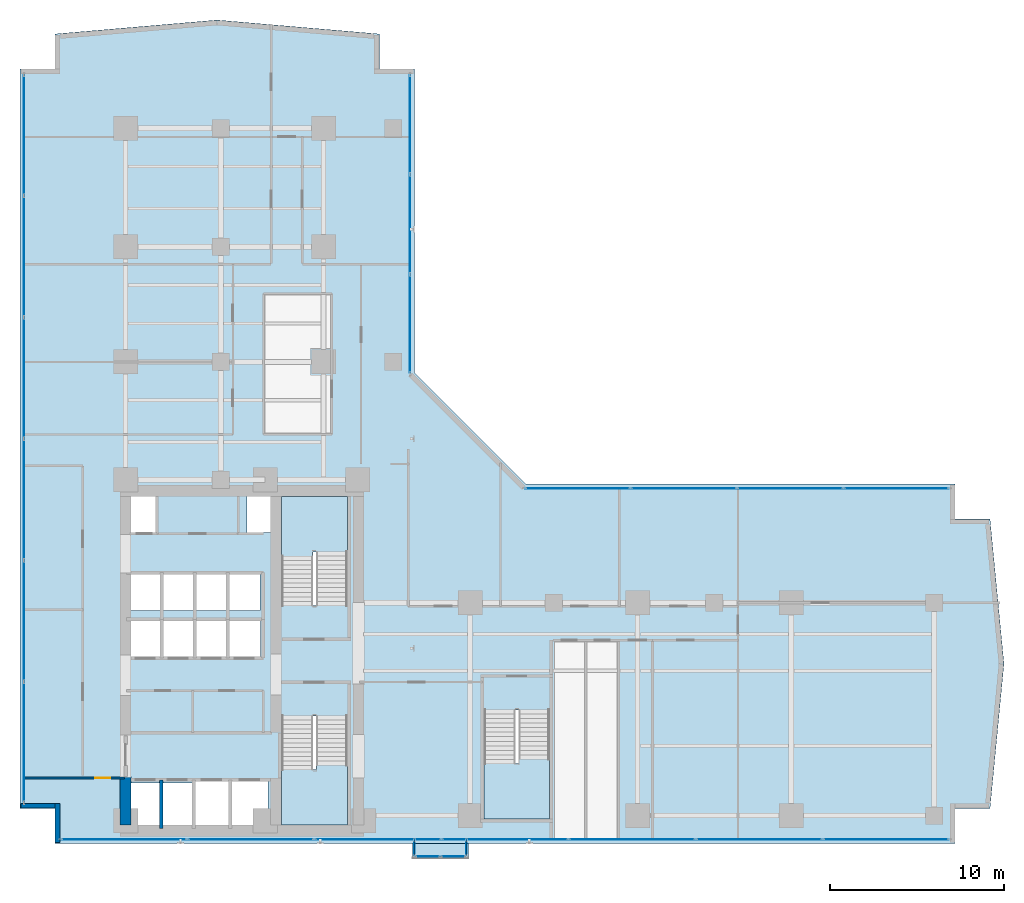
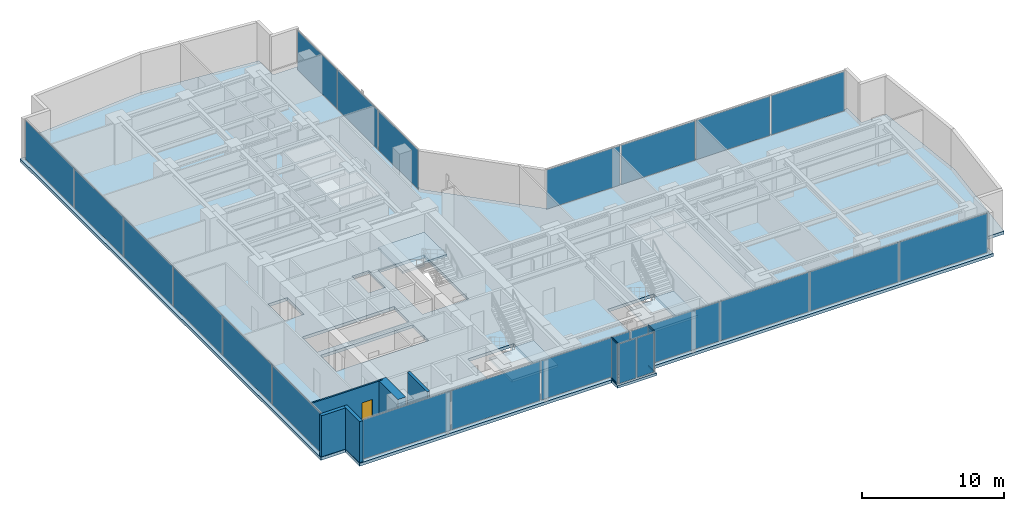
# One storey, part 18 of 26: 24 plates, 5 slabs, 5 walls, 4 members, 1 door, 1 opening, 10 elements without a shape of their own.
"""IFC4 building model written with IfcOpenShell, lengths in metres."""

from ifc_helpers import new_model, si_unit, direction, frame, frame_2d, origin, origin_with_axes, origin_2d, place, context, subcontext, project, spatial, polyline, rectangle, hollow_rectangle, outline, extrude, source, transform, mapped, material, layer, layer_set, material_profile, profile_set, type_object, element, fill, aggregate, save


model = new_model("IFC4")

# Units and contexts
model_context = context("Model", 3, precision=1e-05, world=origin(), true_north=direction((0.0, 1.0)))
body_context = subcontext(model_context, "Body", "Model", "MODEL_VIEW")
ifc_project = project(units=[si_unit("LENGTHUNIT", "METRE"), si_unit("AREAUNIT", "SQUARE_METRE"), si_unit("VOLUMEUNIT", "CUBIC_METRE"), si_unit("PLANEANGLEUNIT", "RADIAN"), si_unit("MASSUNIT", "GRAM", prefix="KILO")], contexts=[model_context])

# Site, building, storey
site_placement = place(None, origin())
site = spatial("IfcSite", under=ifc_project, at=site_placement, CompositionType="ELEMENT")
building_placement = place(site_placement, origin())
building = spatial("IfcBuilding", under=site, at=building_placement, Name="Kolvaren Waterfront Exchange", CompositionType="ELEMENT")
storey_placement = place(building_placement, frame((0.0, 0.0, 122.10009765625)))
storey = spatial("IfcBuildingStorey", under=building, at=storey_placement, Name="L31", CompositionType="ELEMENT", Elevation=122.10009765625)

# Curtain wall, members
ifc_material_1 = material(Name="Anodised bronze aluminium 6063-T6", Category="aluminium")
ifc_layer_1 = layer(ifc_material_1, 0.219970703125, Name="Anodised bronze aluminium 6063-T6")
ifc_layer_set_1 = layer_set([ifc_layer_1], Name="Anodised bronze aluminium 6063-T6")
curtain_wall_type_1 = type_object("IfcCurtainWallType", Name="ARC-CW-SYS3", PredefinedType="USERDEFINED", material=ifc_layer_set_1)
curtain_wall_1_placement = place(storey_placement, origin())
curtain_wall_1 = element("IfcCurtainWall", 1, at=curtain_wall_1_placement, inside=storey, type_object=curtain_wall_type_1, Name="L31 stick curtain wall CW3 (CW-L31-BOX-W)", ObjectType="STICK CURTAIN WALL", PredefinedType="USERDEFINED")
ifc_material_profile = material_profile(ifc_material_1, hollow_rectangle(XDim=0.06494140625, YDim=0.1298828125, WallThickness=0.00390625, at=origin_2d()), Name="ALU-TRN-130x65x4")
ifc_profile_set = profile_set([ifc_material_profile], Name="Anodised bronze aluminium 6063-T6")
member_type = type_object("IfcMemberType", Name="ARC-CWT-130", PredefinedType="USERDEFINED", material=ifc_profile_set)
shared_shape_1 = source(origin_with_axes(), body_context, "Body", "SweptSolid", [
    extrude(hollow_rectangle(XDim=0.06494140625, YDim=0.1298828125, WallThickness=0.00390625, at=origin_2d()), origin(), (0.0, 0.0, 1.0), 0.829833984375),
])
member_1_placement = place(storey_placement, frame((24.010009765625, 3.764892578125, 0.032470703125), z_axis=(0.0, -1.0, 0.0), x_axis=(1.0, 0.0, 0.0)))
member_1 = element("IfcMember", 2, at=member_1_placement, type_object=member_type, Name="CW3 transom 1.1", ObjectType="TRANSOM", PredefinedType="USERDEFINED", context=body_context, shape_type="MappedRepresentation", body=[
    mapped(shared_shape_1, transform((0.0, 0.0, 0.0), x_axis=(1.0, 0.0, 0.0), y_axis=(0.0, 1.0, 0.0), z_axis=(0.0, 0.0, 1.0), scale=1.0)),
])
member_2_placement = place(storey_placement, frame((24.010009765625, 3.764892578125, 3.50732421875), z_axis=(0.0, -1.0, 0.0), x_axis=(1.0, 0.0, 0.0)))
member_2 = element("IfcMember", 3, at=member_2_placement, type_object=member_type, Name="CW3 transom 1.2", ObjectType="TRANSOM", PredefinedType="USERDEFINED", context=body_context, shape_type="MappedRepresentation", body=[
    mapped(shared_shape_1, transform((0.0, 0.0, 0.0), x_axis=(1.0, 0.0, 0.0), y_axis=(0.0, 1.0, 0.0), z_axis=(0.0, 0.0, 1.0), scale=1.0)),
])

curtain_wall_2_placement = place(storey_placement, origin())
curtain_wall_2 = element("IfcCurtainWall", 4, at=curtain_wall_2_placement, inside=storey, type_object=curtain_wall_type_1, Name="L31 stick curtain wall CW3 (CW-L31-BOX-E)", ObjectType="STICK CURTAIN WALL", PredefinedType="USERDEFINED")
member_3_placement = place(storey_placement, frame((26.989990234375, 2.93505859375, 0.032470703125), z_axis=(0.0, 1.0, 0.0), x_axis=(-1.0, 0.0, 0.0)))
member_3 = element("IfcMember", 5, at=member_3_placement, type_object=member_type, Name="CW3 transom 1.1", ObjectType="TRANSOM", PredefinedType="USERDEFINED", context=body_context, shape_type="MappedRepresentation", body=[
    mapped(shared_shape_1, transform((0.0, 0.0, 0.0), x_axis=(1.0, 0.0, 0.0), y_axis=(0.0, 1.0, 0.0), z_axis=(0.0, 0.0, 1.0), scale=1.0)),
])
member_4_placement = place(storey_placement, frame((26.989990234375, 2.93505859375, 3.50732421875), z_axis=(0.0, 1.0, 0.0), x_axis=(-1.0, 0.0, 0.0)))
member_4 = element("IfcMember", 6, at=member_4_placement, type_object=member_type, Name="CW3 transom 1.2", ObjectType="TRANSOM", PredefinedType="USERDEFINED", context=body_context, shape_type="MappedRepresentation", body=[
    mapped(shared_shape_1, transform((0.0, 0.0, 0.0), x_axis=(1.0, 0.0, 0.0), y_axis=(0.0, 1.0, 0.0), z_axis=(0.0, 0.0, 1.0), scale=1.0)),
])

# Stair, slab
ifc_material_2 = material(Name="Concrete C40/50", Category="concrete")
stair_type = type_object("IfcStairType", Name="ARC-STAIR-3800", PredefinedType="HALF_TURN_STAIR", material=ifc_material_2)
stair_1_placement = place(storey_placement, origin())
stair_1 = element("IfcStair", 7, at=stair_1_placement, inside=storey, type_object=stair_type, Name="L31 Smoke-proof exit stair ST1", PredefinedType="HALF_TURN_STAIR")
ifc_layer_2 = layer(ifc_material_2, 0.199951171875, Name="Concrete C40/50")
ifc_layer_set_2 = layer_set([ifc_layer_2], Name="Concrete C40/50")
slab_type_1 = type_object("IfcSlabType", Name="STR-LANDING-200", PredefinedType="LANDING", material=ifc_layer_set_2)
slab_1_placement = place(storey_placement, frame((0.0, 0.0, 1.77587890625)))
slab_1 = element("IfcSlab", 8, at=slab_1_placement, type_object=slab_type_1, Name="ST1 landing 1", PredefinedType="LANDING", context=body_context, shape_type="SweptSolid", body=[
    extrude(outline(polyline([(16.39990234375, 7.840087890625), (16.39990234375, 4.64990234375), (20.159912109375, 4.64990234375), (20.159912109375, 8.10009765625), (18.360107421875, 8.10009765625), (18.360107421875, 7.840087890625), (16.39990234375, 7.840087890625)])), origin(), (0.0, 0.0, 1.0), 0.199951171875),
])
aggregate(stair_1, [slab_1])

stair_2_placement = place(storey_placement, origin())
stair_2 = element("IfcStair", 9, at=stair_2_placement, inside=storey, type_object=stair_type, Name="L31 Smoke-proof exit stair ST2", PredefinedType="HALF_TURN_STAIR")
slab_2_placement = place(storey_placement, frame((0.0, 0.0, 1.77587890625)))
slab_2 = element("IfcSlab", 10, at=slab_2_placement, type_object=slab_type_1, Name="ST2 landing 1", PredefinedType="LANDING", context=body_context, shape_type="SweptSolid", body=[
    extrude(outline(polyline([(20.159912109375, 20.31005859375), (20.159912109375, 23.5), (16.39990234375, 23.5), (16.39990234375, 20.050048828125), (18.199951171875, 20.050048828125), (18.199951171875, 20.31005859375), (20.159912109375, 20.31005859375)])), origin(), (0.0, 0.0, 1.0), 0.199951171875),
])
aggregate(stair_2, [slab_2])

stair_3_placement = place(storey_placement, origin())
stair_3 = element("IfcStair", 11, at=stair_3_placement, inside=storey, type_object=stair_type, Name="L31 Exit stair ST3", PredefinedType="HALF_TURN_STAIR")
slab_3_placement = place(storey_placement, frame((0.0, 0.0, 1.77587890625)))
slab_3 = element("IfcSlab", 12, at=slab_3_placement, type_object=slab_type_1, Name="ST3 landing 1", PredefinedType="LANDING", context=body_context, shape_type="SweptSolid", body=[
    extrude(outline(polyline([(28.0, 8.18994140625), (28.0, 5.0), (31.760009765625, 5.0), (31.760009765625, 8.449951171875), (29.9599609375, 8.449951171875), (29.9599609375, 8.18994140625), (28.0, 8.18994140625)])), origin(), (0.0, 0.0, 1.0), 0.199951171875),
])
aggregate(stair_3, [slab_3])

# Slabs
ifc_layer_3 = layer(ifc_material_2, 0.260009765625, Name="Concrete C40/50")
ifc_layer_set_3 = layer_set([ifc_layer_3], Name="Concrete C40/50")
slab_type_2 = type_object("IfcSlabType", Name="STR-SLAB-260", PredefinedType="FLOOR", material=ifc_layer_set_3)
slab_4_placement = place(storey_placement, frame((0.0, 0.0, -0.260009765625)))
element("IfcSlab", 13, at=slab_4_placement, inside=storey, type_object=slab_type_2, Name="L31 structural floor slab", PredefinedType="FLOOR", context=body_context, shape_type="SweptSolid", body=[
    extrude(outline(polyline([(3.39990234375, 3.60009765625), (55.0, 3.60009765625), (55.0, 5.60009765625), (57.0, 5.60009765625), (57.800048828125, 13.89990234375), (57.0, 22.199951171875), (55.0, 22.199951171875), (55.0, 24.199951171875), (30.39990234375, 24.199951171875), (24.0, 30.60009765625), (24.0, 48.0), (22.0, 48.0), (22.0, 50.0), (12.699951171875, 50.800048828125), (3.39990234375, 50.0), (3.39990234375, 48.0), (1.39990234375, 48.0), (1.39990234375, 5.60009765625), (3.39990234375, 5.60009765625), (3.39990234375, 3.60009765625)]), holes=[polyline([(11.320068359375, 7.260009765625), (15.610107421875, 7.260009765625), (15.610107421875, 4.5400390625), (7.719970703125, 4.5400390625), (7.719970703125, 7.06005859375), (11.320068359375, 7.06005859375), (11.320068359375, 7.260009765625)]), polyline([(20.159912109375, 10.89990234375), (20.159912109375, 4.64990234375), (16.39990234375, 4.64990234375), (16.39990234375, 10.89990234375), (20.159912109375, 10.89990234375)]), polyline([(31.760009765625, 11.25), (31.760009765625, 5.0), (28.0, 5.0), (28.0, 11.25), (31.760009765625, 11.25)]), polyline([(15.18505859375, 14.239990234375), (7.64501953125, 14.239990234375), (7.64501953125, 16.4599609375), (15.18505859375, 16.4599609375), (15.18505859375, 14.239990234375)]), polyline([(15.159912109375, 16.93994140625), (7.669921875, 16.93994140625), (7.669921875, 19.06005859375), (15.159912109375, 19.06005859375), (15.159912109375, 16.93994140625)]), polyline([(16.39990234375, 23.5), (20.159912109375, 23.5), (20.159912109375, 17.25), (16.39990234375, 17.25), (16.39990234375, 23.5)]), polyline([(7.60009765625, 23.780029296875), (9.179931640625, 23.780029296875), (9.179931640625, 21.419921875), (7.60009765625, 21.419921875), (7.60009765625, 23.780029296875)]), polyline([(15.800048828125, 23.780029296875), (15.800048828125, 21.419921875), (14.419921875, 21.419921875), (14.419921875, 23.780029296875), (15.800048828125, 23.780029296875)])]), origin(), (0.0, 0.0, 1.0), 0.260009765625),
])
ifc_layer_4 = layer(ifc_material_2, 0.219970703125, Name="Concrete C40/50")
ifc_layer_set_4 = layer_set([ifc_layer_4], Name="Concrete C40/50")
slab_type_3 = type_object("IfcSlabType", Name="STR-TERR-220", PredefinedType="FLOOR", material=ifc_layer_set_4)
slab_5_placement = place(storey_placement, frame((0.0, 0.0, -0.22021484375)))
element("IfcSlab", 14, at=slab_5_placement, inside=storey, type_object=slab_type_3, Name="L31 projecting bay-box floor strip", PredefinedType="FLOOR", context=body_context, shape_type="SweptSolid", body=[
    extrude(outline(polyline([(23.89990234375, 2.75), (27.10009765625, 2.75), (27.10009765625, 3.60009765625), (23.89990234375, 3.60009765625), (23.89990234375, 2.75)])), origin(), (0.0, 0.0, 1.0), 0.22021484375),
])

# Plate
ifc_material_3 = material(Name="Bronze tinted bay-box vision glass", Category="aluminium")
ifc_layer_5 = layer(ifc_material_3, 0.02392578125, Name="Bronze tinted bay-box vision glass")
ifc_layer_set_5 = layer_set([ifc_layer_5], Name="Bronze tinted bay-box vision glass")
plate_type_1 = type_object("IfcPlateType", Name="ARC-CWP-24", PredefinedType="CURTAIN_PANEL", material=ifc_layer_set_5)
shared_shape_2 = source(origin_with_axes(), body_context, "Body", "SweptSolid", [
    extrude(rectangle(XDim=0.830078125, YDim=0.02392578125, at=origin_2d()), origin(), (0.0, 0.0, 1.0), 3.409912109375),
])
plate_1_placement = place(storey_placement, frame((24.010009765625, 3.35009765625, 0.06494140625), z_axis=(0.0, 0.0, 1.0), x_axis=(0.0, -1.0, 0.0)))
plate_1 = element("IfcPlate", 15, at=plate_1_placement, type_object=plate_type_1, Name="CW3 panel 1.1", PredefinedType="CURTAIN_PANEL", context=body_context, shape_type="MappedRepresentation", body=[
    mapped(shared_shape_2, transform((0.0, 0.0, 0.0), x_axis=(1.0, 0.0, 0.0), y_axis=(0.0, 1.0, 0.0), z_axis=(0.0, 0.0, 1.0), scale=1.0)),
])

aggregate(curtain_wall_1, [member_1, member_2, plate_1])

plate_2_placement = place(storey_placement, frame((26.989990234375, 3.35009765625, 0.06494140625), z_axis=(0.0, 0.0, 1.0), x_axis=(0.0, 1.0, 0.0)))
plate_2 = element("IfcPlate", 16, at=plate_2_placement, type_object=plate_type_1, Name="CW3 panel 1.1", PredefinedType="CURTAIN_PANEL", context=body_context, shape_type="MappedRepresentation", body=[
    mapped(shared_shape_2, transform((0.0, 0.0, 0.0), x_axis=(1.0, 0.0, 0.0), y_axis=(0.0, 1.0, 0.0), z_axis=(0.0, 0.0, 1.0), scale=1.0)),
])

aggregate(curtain_wall_2, [member_3, member_4, plate_2])

# Curtain wall, plates
curtain_wall_3_placement = place(storey_placement, origin())
curtain_wall_3 = element("IfcCurtainWall", 17, at=curtain_wall_3_placement, inside=storey, type_object=curtain_wall_type_1, Name="L31 stick curtain wall CW3 (CW-L31-BOX)", ObjectType="STICK CURTAIN WALL", PredefinedType="USERDEFINED")
shared_shape_3 = source(origin_with_axes(), body_context, "Body", "SweptSolid", [
    extrude(rectangle(XDim=1.37744140625, YDim=0.02392578125, at=origin_2d()), origin(), (0.0, 0.0, 1.0), 3.409912109375),
])
plate_3_placement = place(storey_placement, frame((24.773681640625, 2.860107421875, 0.06494140625), z_axis=(0.0, 0.0, 1.0), x_axis=(1.0, 0.0, 0.0)))
plate_3 = element("IfcPlate", 18, at=plate_3_placement, type_object=plate_type_1, Name="CW3 panel 1.1", PredefinedType="CURTAIN_PANEL", context=body_context, shape_type="MappedRepresentation", body=[
    mapped(shared_shape_3, transform((0.0, 0.0, 0.0), x_axis=(1.0, 0.0, 0.0), y_axis=(0.0, 1.0, 0.0), z_axis=(0.0, 0.0, 1.0), scale=1.0)),
])
plate_4_placement = place(storey_placement, frame((26.226318359375, 2.860107421875, 0.06494140625), z_axis=(0.0, 0.0, 1.0), x_axis=(1.0, 0.0, 0.0)))
plate_4 = element("IfcPlate", 19, at=plate_4_placement, type_object=plate_type_1, Name="CW3 panel 2.1", PredefinedType="CURTAIN_PANEL", context=body_context, shape_type="MappedRepresentation", body=[
    mapped(shared_shape_3, transform((0.0, 0.0, 0.0), x_axis=(1.0, 0.0, 0.0), y_axis=(0.0, 1.0, 0.0), z_axis=(0.0, 0.0, 1.0), scale=1.0)),
])
aggregate(curtain_wall_3, [plate_3, plate_4])

ifc_material_4 = material(Name="Anodised aluminium 6063-T6", Category="aluminium")
ifc_layer_6 = layer(ifc_material_4, 0.219970703125, Name="Anodised aluminium 6063-T6")
ifc_layer_set_6 = layer_set([ifc_layer_6], Name="Anodised aluminium 6063-T6")
curtain_wall_type_2 = type_object("IfcCurtainWallType", Name="ARC-CW-SYS2", PredefinedType="USERDEFINED", material=ifc_layer_set_6)
curtain_wall_4_placement = place(storey_placement, origin())
curtain_wall_4 = element("IfcCurtainWall", 20, at=curtain_wall_4_placement, inside=storey, type_object=curtain_wall_type_2, Name="L31 stick curtain wall CW2 (CW-L31-W)", ObjectType="STICK CURTAIN WALL", PredefinedType="USERDEFINED")
ifc_material_5 = material(Name="Acoustic laminated vision glass", Category="glass")
ifc_layer_7 = layer(ifc_material_5, 0.031982421875, Name="Acoustic laminated vision glass")
ifc_layer_set_7 = layer_set([ifc_layer_7], Name="Acoustic laminated vision glass")
plate_type_2 = type_object("IfcPlateType", Name="ARC-CWP-32", PredefinedType="CURTAIN_PANEL", material=ifc_layer_set_7)
shared_shape_4 = source(origin_with_axes(), body_context, "Body", "SweptSolid", [
    extrude(rectangle(XDim=6.8466796875, YDim=0.031982421875, at=origin_2d()), origin(), (0.0, 0.0, 1.0), 3.389892578125),
])
plate_5_placement = place(storey_placement, frame((1.639892578125, 9.4033203125, 0.0751953125), z_axis=(0.0, 0.0, 1.0), x_axis=(0.0, 1.0, 0.0)))
plate_5 = element("IfcPlate", 21, at=plate_5_placement, type_object=plate_type_2, Name="CW2 panel 1.1", PredefinedType="CURTAIN_PANEL", context=body_context, shape_type="MappedRepresentation", body=[
    mapped(shared_shape_4, transform((0.0, 0.0, 0.0), x_axis=(1.0, 0.0, 0.0), y_axis=(0.0, 1.0, 0.0), z_axis=(0.0, 0.0, 1.0), scale=1.0)),
])
plate_6_placement = place(storey_placement, frame((1.639892578125, 44.19677734375, 0.0751953125), z_axis=(0.0, 0.0, 1.0), x_axis=(0.0, 1.0, 0.0)))
plate_6 = element("IfcPlate", 22, at=plate_6_placement, type_object=plate_type_2, Name="CW2 panel 6.1", PredefinedType="CURTAIN_PANEL", context=body_context, shape_type="MappedRepresentation", body=[
    mapped(shared_shape_4, transform((0.0, 0.0, 0.0), x_axis=(1.0, 0.0, 0.0), y_axis=(0.0, 1.0, 0.0), z_axis=(0.0, 0.0, 1.0), scale=1.0)),
])
shared_shape_5 = source(origin_with_axes(), body_context, "Body", "SweptSolid", [
    extrude(rectangle(XDim=6.88671875, YDim=0.031982421875, at=origin_2d()), origin(), (0.0, 0.0, 1.0), 3.389892578125),
])
plate_7_placement = place(storey_placement, frame((1.639892578125, 16.35009765625, 0.0751953125), z_axis=(0.0, 0.0, 1.0), x_axis=(0.0, 1.0, 0.0)))
plate_7 = element("IfcPlate", 23, at=plate_7_placement, type_object=plate_type_2, Name="CW2 panel 2.1", PredefinedType="CURTAIN_PANEL", context=body_context, shape_type="MappedRepresentation", body=[
    mapped(shared_shape_5, transform((0.0, 0.0, 0.0), x_axis=(1.0, 0.0, 0.0), y_axis=(0.0, 1.0, 0.0), z_axis=(0.0, 0.0, 1.0), scale=1.0)),
])
plate_8_placement = place(storey_placement, frame((1.639892578125, 23.316650390625, 0.0751953125), z_axis=(0.0, 0.0, 1.0), x_axis=(0.0, 1.0, 0.0)))
plate_8 = element("IfcPlate", 24, at=plate_8_placement, type_object=plate_type_2, Name="CW2 panel 3.1", PredefinedType="CURTAIN_PANEL", context=body_context, shape_type="MappedRepresentation", body=[
    mapped(shared_shape_5, transform((0.0, 0.0, 0.0), x_axis=(1.0, 0.0, 0.0), y_axis=(0.0, 1.0, 0.0), z_axis=(0.0, 0.0, 1.0), scale=1.0)),
])
plate_9_placement = place(storey_placement, frame((1.639892578125, 30.283447265625, 0.0751953125), z_axis=(0.0, 0.0, 1.0), x_axis=(0.0, 1.0, 0.0)))
plate_9 = element("IfcPlate", 25, at=plate_9_placement, type_object=plate_type_2, Name="CW2 panel 4.1", PredefinedType="CURTAIN_PANEL", context=body_context, shape_type="MappedRepresentation", body=[
    mapped(shared_shape_5, transform((0.0, 0.0, 0.0), x_axis=(1.0, 0.0, 0.0), y_axis=(0.0, 1.0, 0.0), z_axis=(0.0, 0.0, 1.0), scale=1.0)),
])
plate_10_placement = place(storey_placement, frame((1.639892578125, 37.25, 0.0751953125), z_axis=(0.0, 0.0, 1.0), x_axis=(0.0, 1.0, 0.0)))
plate_10 = element("IfcPlate", 26, at=plate_10_placement, type_object=plate_type_2, Name="CW2 panel 5.1", PredefinedType="CURTAIN_PANEL", context=body_context, shape_type="MappedRepresentation", body=[
    mapped(shared_shape_5, transform((0.0, 0.0, 0.0), x_axis=(1.0, 0.0, 0.0), y_axis=(0.0, 1.0, 0.0), z_axis=(0.0, 0.0, 1.0), scale=1.0)),
])
aggregate(curtain_wall_4, [plate_5, plate_7, plate_8, plate_9, plate_10, plate_6])

ifc_layer_8 = layer(ifc_material_1, 0.219970703125, Name="Anodised bronze aluminium 6063-T6")
ifc_layer_set_8 = layer_set([ifc_layer_8], Name="Anodised bronze aluminium 6063-T6")
curtain_wall_type_3 = type_object("IfcCurtainWallType", Name="ARC-CW-SYS1", PredefinedType="USERDEFINED", material=ifc_layer_set_8)
curtain_wall_5_placement = place(storey_placement, origin())
curtain_wall_5 = element("IfcCurtainWall", 27, at=curtain_wall_5_placement, inside=storey, type_object=curtain_wall_type_3, Name="L31 stick curtain wall CW1 (CW-L31-NE)", ObjectType="STICK CURTAIN WALL", PredefinedType="USERDEFINED")
ifc_material_6 = material(Name="Bronze solar control vision glass", Category="aluminium")
ifc_layer_9 = layer(ifc_material_6, 0.028076171875, Name="Bronze solar control vision glass")
ifc_layer_set_9 = layer_set([ifc_layer_9], Name="Bronze solar control vision glass")
plate_type_3 = type_object("IfcPlateType", Name="ARC-CWP-28", PredefinedType="CURTAIN_PANEL", material=ifc_layer_set_9)
shared_shape_6 = source(origin_with_axes(), body_context, "Body", "SweptSolid", [
    extrude(rectangle(XDim=5.61669921875, YDim=0.028076171875, at=origin_2d()), origin(), (0.0, 0.0, 1.0), 3.389892578125),
])
plate_11_placement = place(storey_placement, frame((23.760009765625, 33.37841796875, 0.0751953125), z_axis=(0.0, 0.0, 1.0), x_axis=(0.0, 1.0, 0.0)))
plate_11 = element("IfcPlate", 28, at=plate_11_placement, type_object=plate_type_3, Name="CW1 panel 1.1", PredefinedType="CURTAIN_PANEL", context=body_context, shape_type="MappedRepresentation", body=[
    mapped(shared_shape_6, transform((0.0, 0.0, 0.0), x_axis=(1.0, 0.0, 0.0), y_axis=(0.0, 1.0, 0.0), z_axis=(0.0, 0.0, 1.0), scale=1.0)),
])
plate_12_placement = place(storey_placement, frame((23.760009765625, 44.811767578125, 0.0751953125), z_axis=(0.0, 0.0, 1.0), x_axis=(0.0, 1.0, 0.0)))
plate_12 = element("IfcPlate", 29, at=plate_12_placement, type_object=plate_type_3, Name="CW1 panel 3.1", PredefinedType="CURTAIN_PANEL", context=body_context, shape_type="MappedRepresentation", body=[
    mapped(shared_shape_6, transform((0.0, 0.0, 0.0), x_axis=(1.0, 0.0, 0.0), y_axis=(0.0, 1.0, 0.0), z_axis=(0.0, 0.0, 1.0), scale=1.0)),
])
shared_shape_7 = source(origin_with_axes(), body_context, "Body", "SweptSolid", [
    extrude(rectangle(XDim=5.65673828125, YDim=0.028076171875, at=origin_2d()), origin(), (0.0, 0.0, 1.0), 3.389892578125),
])
plate_13_placement = place(storey_placement, frame((23.760009765625, 39.094970703125, 0.0751953125), z_axis=(0.0, 0.0, 1.0), x_axis=(0.0, 1.0, 0.0)))
plate_13 = element("IfcPlate", 30, at=plate_13_placement, type_object=plate_type_3, Name="CW1 panel 2.1", PredefinedType="CURTAIN_PANEL", context=body_context, shape_type="MappedRepresentation", body=[
    mapped(shared_shape_7, transform((0.0, 0.0, 0.0), x_axis=(1.0, 0.0, 0.0), y_axis=(0.0, 1.0, 0.0), z_axis=(0.0, 0.0, 1.0), scale=1.0)),
])
aggregate(curtain_wall_5, [plate_11, plate_13, plate_12])

curtain_wall_6_placement = place(storey_placement, origin())
curtain_wall_6 = element("IfcCurtainWall", 31, at=curtain_wall_6_placement, inside=storey, type_object=curtain_wall_type_3, Name="L31 stick curtain wall CW1 (CW-L31-EN)", ObjectType="STICK CURTAIN WALL", PredefinedType="USERDEFINED")
shared_shape_8 = source(origin_with_axes(), body_context, "Body", "SweptSolid", [
    extrude(rectangle(XDim=5.982421875, YDim=0.028076171875, at=origin_2d()), origin(), (0.0, 0.0, 1.0), 3.389892578125),
])
plate_14_placement = place(storey_placement, frame((33.361328125, 23.9599609375, 0.0751953125), z_axis=(0.0, 0.0, 1.0), x_axis=(1.0, 0.0, 0.0)))
plate_14 = element("IfcPlate", 32, at=plate_14_placement, type_object=plate_type_3, Name="CW1 panel 1.1", PredefinedType="CURTAIN_PANEL", context=body_context, shape_type="MappedRepresentation", body=[
    mapped(shared_shape_8, transform((0.0, 0.0, 0.0), x_axis=(1.0, 0.0, 0.0), y_axis=(0.0, 1.0, 0.0), z_axis=(0.0, 0.0, 1.0), scale=1.0)),
])
plate_15_placement = place(storey_placement, frame((51.628662109375, 23.9599609375, 0.0751953125), z_axis=(0.0, 0.0, 1.0), x_axis=(1.0, 0.0, 0.0)))
plate_15 = element("IfcPlate", 33, at=plate_15_placement, type_object=plate_type_3, Name="CW1 panel 4.1", PredefinedType="CURTAIN_PANEL", context=body_context, shape_type="MappedRepresentation", body=[
    mapped(shared_shape_8, transform((0.0, 0.0, 0.0), x_axis=(1.0, 0.0, 0.0), y_axis=(0.0, 1.0, 0.0), z_axis=(0.0, 0.0, 1.0), scale=1.0)),
])
shared_shape_9 = source(origin_with_axes(), body_context, "Body", "SweptSolid", [
    extrude(rectangle(XDim=6.0224609375, YDim=0.028076171875, at=origin_2d()), origin(), (0.0, 0.0, 1.0), 3.389892578125),
])
plate_16_placement = place(storey_placement, frame((39.44384765625, 23.9599609375, 0.0751953125), z_axis=(0.0, 0.0, 1.0), x_axis=(1.0, 0.0, 0.0)))
plate_16 = element("IfcPlate", 34, at=plate_16_placement, type_object=plate_type_3, Name="CW1 panel 2.1", PredefinedType="CURTAIN_PANEL", context=body_context, shape_type="MappedRepresentation", body=[
    mapped(shared_shape_9, transform((0.0, 0.0, 0.0), x_axis=(1.0, 0.0, 0.0), y_axis=(0.0, 1.0, 0.0), z_axis=(0.0, 0.0, 1.0), scale=1.0)),
])
plate_17_placement = place(storey_placement, frame((45.546142578125, 23.9599609375, 0.0751953125), z_axis=(0.0, 0.0, 1.0), x_axis=(1.0, 0.0, 0.0)))
plate_17 = element("IfcPlate", 35, at=plate_17_placement, type_object=plate_type_3, Name="CW1 panel 3.1", PredefinedType="CURTAIN_PANEL", context=body_context, shape_type="MappedRepresentation", body=[
    mapped(shared_shape_9, transform((0.0, 0.0, 0.0), x_axis=(1.0, 0.0, 0.0), y_axis=(0.0, 1.0, 0.0), z_axis=(0.0, 0.0, 1.0), scale=1.0)),
])
aggregate(curtain_wall_6, [plate_14, plate_16, plate_17, plate_15])

curtain_wall_7_placement = place(storey_placement, origin())
curtain_wall_7 = element("IfcCurtainWall", 36, at=curtain_wall_7_placement, inside=storey, type_object=curtain_wall_type_3, Name="L31 stick curtain wall CW1 (CW-L31-S)", ObjectType="STICK CURTAIN WALL", PredefinedType="USERDEFINED")
shared_shape_10 = source(origin_with_axes(), body_context, "Body", "SweptSolid", [
    extrude(rectangle(XDim=7.165771484375, YDim=0.028076171875, at=origin_2d()), origin(), (0.0, 0.0, 1.0), 3.389892578125),
])
plate_18_placement = place(storey_placement, frame((7.36279296875, 3.840087890625, 0.0751953125), z_axis=(0.0, 0.0, 1.0), x_axis=(1.0, 0.0, 0.0)))
plate_18 = element("IfcPlate", 37, at=plate_18_placement, type_object=plate_type_3, Name="CW1 panel 1.1", PredefinedType="CURTAIN_PANEL", context=body_context, shape_type="MappedRepresentation", body=[
    mapped(shared_shape_10, transform((0.0, 0.0, 0.0), x_axis=(1.0, 0.0, 0.0), y_axis=(0.0, 1.0, 0.0), z_axis=(0.0, 0.0, 1.0), scale=1.0)),
])
plate_19_placement = place(storey_placement, frame((51.037109375, 3.840087890625, 0.0751953125), z_axis=(0.0, 0.0, 1.0), x_axis=(1.0, 0.0, 0.0)))
plate_19 = element("IfcPlate", 38, at=plate_19_placement, type_object=plate_type_3, Name="CW1 panel 7.1", PredefinedType="CURTAIN_PANEL", context=body_context, shape_type="MappedRepresentation", body=[
    mapped(shared_shape_10, transform((0.0, 0.0, 0.0), x_axis=(1.0, 0.0, 0.0), y_axis=(0.0, 1.0, 0.0), z_axis=(0.0, 0.0, 1.0), scale=1.0)),
])
shared_shape_11 = source(origin_with_axes(), body_context, "Body", "SweptSolid", [
    extrude(rectangle(XDim=7.205810546875, YDim=0.028076171875, at=origin_2d()), origin(), (0.0, 0.0, 1.0), 3.389892578125),
])
plate_20_placement = place(storey_placement, frame((14.628662109375, 3.840087890625, 0.0751953125), z_axis=(0.0, 0.0, 1.0), x_axis=(1.0, 0.0, 0.0)))
plate_20 = element("IfcPlate", 39, at=plate_20_placement, type_object=plate_type_3, Name="CW1 panel 2.1", PredefinedType="CURTAIN_PANEL", context=body_context, shape_type="MappedRepresentation", body=[
    mapped(shared_shape_11, transform((0.0, 0.0, 0.0), x_axis=(1.0, 0.0, 0.0), y_axis=(0.0, 1.0, 0.0), z_axis=(0.0, 0.0, 1.0), scale=1.0)),
])
plate_21_placement = place(storey_placement, frame((21.914306640625, 3.840087890625, 0.0751953125), z_axis=(0.0, 0.0, 1.0), x_axis=(1.0, 0.0, 0.0)))
plate_21 = element("IfcPlate", 40, at=plate_21_placement, type_object=plate_type_3, Name="CW1 panel 3.1", PredefinedType="CURTAIN_PANEL", context=body_context, shape_type="MappedRepresentation", body=[
    mapped(shared_shape_11, transform((0.0, 0.0, 0.0), x_axis=(1.0, 0.0, 0.0), y_axis=(0.0, 1.0, 0.0), z_axis=(0.0, 0.0, 1.0), scale=1.0)),
])
plate_22_placement = place(storey_placement, frame((29.199951171875, 3.840087890625, 0.0751953125), z_axis=(0.0, 0.0, 1.0), x_axis=(1.0, 0.0, 0.0)))
plate_22 = element("IfcPlate", 41, at=plate_22_placement, type_object=plate_type_3, Name="CW1 panel 4.1", PredefinedType="CURTAIN_PANEL", context=body_context, shape_type="MappedRepresentation", body=[
    mapped(shared_shape_11, transform((0.0, 0.0, 0.0), x_axis=(1.0, 0.0, 0.0), y_axis=(0.0, 1.0, 0.0), z_axis=(0.0, 0.0, 1.0), scale=1.0)),
])
plate_23_placement = place(storey_placement, frame((36.485595703125, 3.840087890625, 0.0751953125), z_axis=(0.0, 0.0, 1.0), x_axis=(1.0, 0.0, 0.0)))
plate_23 = element("IfcPlate", 42, at=plate_23_placement, type_object=plate_type_3, Name="CW1 panel 5.1", PredefinedType="CURTAIN_PANEL", context=body_context, shape_type="MappedRepresentation", body=[
    mapped(shared_shape_11, transform((0.0, 0.0, 0.0), x_axis=(1.0, 0.0, 0.0), y_axis=(0.0, 1.0, 0.0), z_axis=(0.0, 0.0, 1.0), scale=1.0)),
])
plate_24_placement = place(storey_placement, frame((43.771484375, 3.840087890625, 0.0751953125), z_axis=(0.0, 0.0, 1.0), x_axis=(1.0, 0.0, 0.0)))
plate_24 = element("IfcPlate", 43, at=plate_24_placement, type_object=plate_type_3, Name="CW1 panel 6.1", PredefinedType="CURTAIN_PANEL", context=body_context, shape_type="MappedRepresentation", body=[
    mapped(shared_shape_11, transform((0.0, 0.0, 0.0), x_axis=(1.0, 0.0, 0.0), y_axis=(0.0, 1.0, 0.0), z_axis=(0.0, 0.0, 1.0), scale=1.0)),
])
aggregate(curtain_wall_7, [plate_18, plate_20, plate_21, plate_22, plate_23, plate_24, plate_19])

# Walls
ifc_material_7 = material(Name="Precast concrete C40/50", Category="concrete")
ifc_layer_10 = layer(ifc_material_7, 0.280029296875, Name="Precast concrete C40/50")
ifc_layer_set_10 = layer_set([ifc_layer_10], Name="Precast concrete C40/50")
wall_type_1 = type_object("IfcWallType", Name="ARC-EXT-TERR-280", PredefinedType="SOLIDWALL", material=ifc_layer_set_10)
wall_1_placement = place(storey_placement, frame((3.56005859375, 3.659912109375, 0.0), z_axis=(0.0, 0.0, 1.0), x_axis=(0.0, 1.0, 0.0)))
element("IfcWall", 44, at=wall_1_placement, inside=storey, type_object=wall_type_1, Name="L31 notched corner spandrel pier SW-A", PredefinedType="SOLIDWALL", context=body_context, shape_type="SweptSolid", body=[
    extrude(rectangle(XDim=2.239990234375, YDim=0.280029296875, at=frame_2d((1.1201171875, 0.0))), origin(), (0.0, 0.0, 1.0), 3.539794921875),
])
wall_2_placement = place(storey_placement, frame((1.4599609375, 5.760009765625, 0.0), z_axis=(0.0, 0.0, 1.0), x_axis=(1.0, 0.0, 0.0)))
element("IfcWall", 45, at=wall_2_placement, inside=storey, type_object=wall_type_1, Name="L31 notched corner spandrel pier SW-B", PredefinedType="SOLIDWALL", context=body_context, shape_type="SweptSolid", body=[
    extrude(rectangle(XDim=1.9599609375, YDim=0.280029296875, at=frame_2d((0.97998046875, 0.0))), origin(), (0.0, 0.0, 1.0), 3.539794921875),
])

# Wall, opening, door
ifc_material_8 = material(Name="Acoustic gypsum steel stud", Category="steel")
ifc_layer_11 = layer(ifc_material_8, 0.125, Name="Acoustic gypsum steel stud")
ifc_layer_set_11 = layer_set([ifc_layer_11], Name="Acoustic gypsum steel stud")
wall_type_2 = type_object("IfcWallType", Name="ARC-PART-125", PredefinedType="PARTITIONING", material=ifc_layer_set_11)
wall_3_placement = place(storey_placement, frame((1.639892578125, 7.35009765625, 0.0), z_axis=(0.0, 0.0, 1.0), x_axis=(1.0, 0.0, 0.0)))
wall_3 = element("IfcWall", 46, at=wall_3_placement, inside=storey, type_object=wall_type_2, Name="L31 interior wall PW-L31-SWC-N", PredefinedType="PARTITIONING", context=body_context, shape_type="SweptSolid", body=[
    extrude(rectangle(XDim=5.760009765625, YDim=0.125, at=frame_2d((2.8798828125, 0.0))), origin(), (0.0, 0.0, 1.0), 3.539794921875),
])
opening_placement = place(wall_3_placement, frame((4.086669921875, 0.0, 0.0)))
opening = element("IfcOpeningElement", 47, at=opening_placement, cuts=wall_3, Name="Opening D01", PredefinedType="OPENING", context=body_context, shape_type="SweptSolid", body=[
    extrude(rectangle(XDim=0.85009765625, YDim=2.14990234375, at=frame_2d((0.425048828125, 1.074951171875))), frame((0.0, 0.072509765625, 0.0), z_axis=(0.0, -1.0, 0.0), x_axis=(1.0, 0.0, 0.0)), (0.0, 0.0, 1.0), 0.14501953125),
])
ifc_material_9 = material(Name="Oak veneer timber leaf", Category="wood")
door_type = type_object("IfcDoorType", Name="ARC-DR-900", OperationType="NOTDEFINED", PredefinedType="DOOR", material=ifc_material_9)
door_placement = place(opening_placement, origin())
door = element("IfcDoor", 48, at=door_placement, inside=storey, type_object=door_type, Name="L31 door DR-L31-SWC-D (D01)", OperationType="SINGLE_SWING_LEFT", OverallHeight=2.14990234375, OverallWidth=0.85009765625, PredefinedType="DOOR", context=body_context, shape_type="SweptSolid", body=[
    extrude(rectangle(XDim=0.85009765625, YDim=2.14990234375, at=frame_2d((0.425048828125, 1.074951171875))), frame((0.0, 0.02490234375, 0.0), z_axis=(0.0, -1.0, 0.0), x_axis=(1.0, 0.0, 0.0)), (0.0, 0.0, 1.0), 0.050048828125),
])
fill(opening, door)

# Walls
ifc_layer_12 = layer(ifc_material_2, 0.199951171875, Name="Concrete C40/50")
ifc_layer_set_12 = layer_set([ifc_layer_12], Name="Concrete C40/50")
wall_type_3 = type_object("IfcWallType", Name="ARC-SHAFT-200", PredefinedType="PARTITIONING", material=ifc_layer_set_12)
wall_4_placement = place(storey_placement, frame((9.5, 4.449951171875, 0.0), z_axis=(0.0, 0.0, 1.0), x_axis=(0.0, 1.0, 0.0)))
element("IfcWall", 49, at=wall_4_placement, inside=storey, type_object=wall_type_3, Name="L31 interior wall PW-L31-SH1-DIV-95", PredefinedType="PARTITIONING", context=body_context, shape_type="SweptSolid", body=[
    extrude(rectangle(XDim=2.800048828125, YDim=0.199951171875, at=frame_2d((1.39990234375, 0.0))), origin(), (0.0, 0.0, 1.0), 3.539794921875),
])
ifc_material_10 = material(Name="Concrete C60/75", Category="concrete")
ifc_layer_13 = layer(ifc_material_10, 0.64990234375, Name="Concrete C60/75")
ifc_layer_set_13 = layer_set([ifc_layer_13], Name="Concrete C60/75")
wall_type_4 = type_object("IfcWallType", Name="STR-CWALL-650", PredefinedType="SHEAR", material=ifc_layer_set_13)
wall_5_placement = place(storey_placement, frame((7.449951171875, 4.64990234375, 0.0), z_axis=(0.0, 0.0, 1.0), x_axis=(0.0, 1.0, 0.0)))
element("IfcWall", 50, at=wall_5_placement, inside=storey, type_object=wall_type_4, Name="L31 rear-core shear wall W1", PredefinedType="SHEAR", context=body_context, shape_type="SweptSolid", body=[
    extrude(rectangle(XDim=2.800048828125, YDim=0.64990234375, at=frame_2d((1.39990234375, 0.0))), origin(), (0.0, 0.0, 1.0), 3.539794921875),
])

save(model, "model.ifc")
